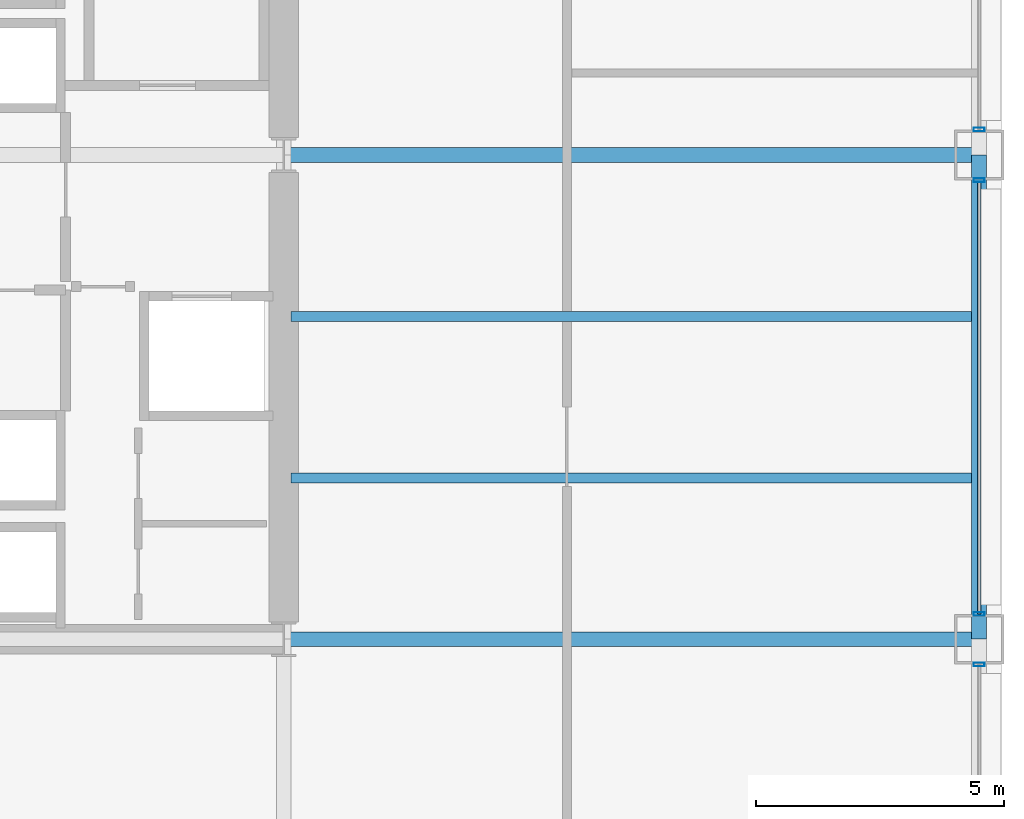
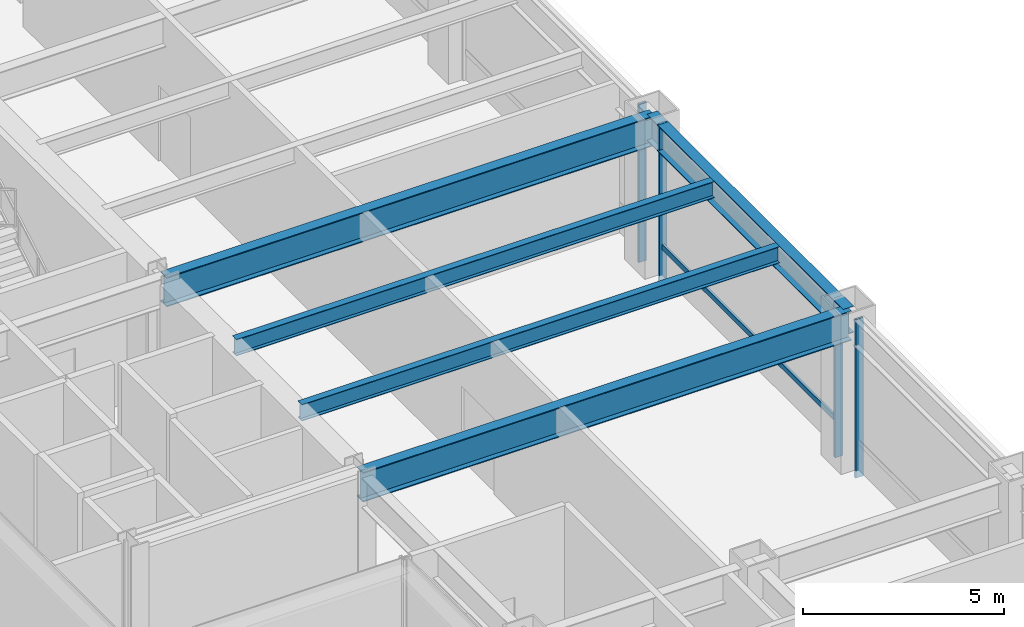
# One storey, part 13 of 40: 5 beams, 5 members, 3 elements without a shape of their own.
"""IFC4 building model written with IfcOpenShell, lengths in metres."""

from ifc_helpers import new_model, si_unit, direction, frame, origin, origin_2d, place, context, subcontext, project, spatial, hollow_rectangle, i_section, extrude, material, layer, layer_set, material_profile, profile_set, type_object, element, aggregate, save


model = new_model("IFC4")

# Units and contexts
model_context = context("Model", 3, precision=1e-05, world=origin(), true_north=direction((0.0, 1.0)))
body_context = subcontext(model_context, "Body", "Model", "MODEL_VIEW")
ifc_project = project(units=[si_unit("LENGTHUNIT", "METRE"), si_unit("AREAUNIT", "SQUARE_METRE"), si_unit("VOLUMEUNIT", "CUBIC_METRE"), si_unit("PLANEANGLEUNIT", "RADIAN"), si_unit("MASSUNIT", "GRAM", prefix="KILO")], contexts=[model_context])

# Site, building, storey
site_placement = place(None, origin())
site = spatial("IfcSite", under=ifc_project, at=site_placement, CompositionType="ELEMENT")
building_placement = place(site_placement, origin())
building = spatial("IfcBuilding", under=site, at=building_placement, Name="Brelmoor Portico Tower", CompositionType="ELEMENT")
storey_placement = place(building_placement, frame((0.0, 0.0, 4.800048828125)))
storey = spatial("IfcBuildingStorey", under=building, at=storey_placement, Name="L01", CompositionType="ELEMENT", Elevation=4.800048828125)

# Beams
ifc_material_1 = material(Name="Steel Q355B", Category="steel")
ifc_material_profile_1 = material_profile(ifc_material_1, i_section(OverallWidth=0.199951171875, OverallDepth=0.5, WebThickness=0.010009765625, FlangeThickness=0.01611328125, at=origin_2d()), Name="HN 500x200x10x16")
ifc_profile_set_1 = profile_set([ifc_material_profile_1], Name="Steel Q355B")
beam_type_1 = type_object("IfcBeamType", Name="BM-JS-500", PredefinedType="JOIST", material=ifc_profile_set_1)
for number, where, z_axis, x_axis, name in (
    (1, (14.699951171875, -6.5, 4.329833984375), (1.0, 0.0, 0.0), (0.0, 1.0, 0.0), "L01 Secondary Wing Joist JS-E05"),
    (2, (14.699951171875, -3.25, 4.329833984375), (1.0, 0.0, 0.0), (0.0, 1.0, 0.0), "L01 Secondary Wing Joist JS-E06"),
):
    element("IfcBeam", number, at=place(storey_placement, frame(where, z_axis=z_axis, x_axis=x_axis)), inside=storey, type_object=beam_type_1, Name=name, PredefinedType="JOIST", context=body_context, shape_type="SweptSolid", body=[
        extrude(i_section(OverallWidth=0.199951171875, OverallDepth=0.5, WebThickness=0.010009765625, FlangeThickness=0.01611328125, at=origin_2d()), origin(), (0.0, 0.0, 1.0), 13.699951171875),
    ])
ifc_material_profile_2 = material_profile(ifc_material_1, i_section(OverallWidth=0.300048828125, OverallDepth=0.89990234375, WebThickness=0.01611328125, FlangeThickness=0.028076171875, at=origin_2d()), Name="HN 900x300x16x28")
ifc_profile_set_2 = profile_set([ifc_material_profile_2], Name="Steel Q355B")
beam_type_2 = type_object("IfcBeamType", Name="BM-PG-900", PredefinedType="BEAM", material=ifc_profile_set_2)
for number, where, z_axis, x_axis, name in (
    (3, (14.550048828125, -9.75, 4.1298828125), (1.0, 0.0, 0.0), (0.0, 1.0, 0.0), "L01 Primary Floor Girder PG-28"),
    (4, (14.550048828125, 0.0, 4.1298828125), (1.0, 0.0, 0.0), (0.0, 1.0, 0.0), "L01 Primary Floor Girder PG-32"),
):
    element("IfcBeam", number, at=place(storey_placement, frame(where, z_axis=z_axis, x_axis=x_axis)), inside=storey, type_object=beam_type_2, Name=name, PredefinedType="BEAM", context=body_context, shape_type="SweptSolid", body=[
        extrude(i_section(OverallWidth=0.300048828125, OverallDepth=0.89990234375, WebThickness=0.01611328125, FlangeThickness=0.028076171875, at=origin_2d()), origin(), (0.0, 0.0, 1.0), 14.0),
    ])
ifc_material_profile_3 = material_profile(ifc_material_1, i_section(OverallWidth=0.300048828125, OverallDepth=0.800048828125, WebThickness=0.013916015625, FlangeThickness=0.02587890625, at=origin_2d()), Name="HN 800x300x14x26")
ifc_profile_set_3 = profile_set([ifc_material_profile_3], Name="Steel Q355B")
beam_type_3 = type_object("IfcBeamType", Name="BM-SP-800", PredefinedType="SPANDREL", material=ifc_profile_set_3)
beam_placement = place(storey_placement, frame((28.550048828125, -9.75, 4.179931640625), z_axis=(0.0, 1.0, 0.0), x_axis=(-1.0, 0.0, 0.0)))
element("IfcBeam", 5, at=beam_placement, inside=storey, type_object=beam_type_3, Name="L01 Perimeter Spandrel Beam SP-17", PredefinedType="SPANDREL", context=body_context, shape_type="SweptSolid", body=[
    extrude(i_section(OverallWidth=0.300048828125, OverallDepth=0.800048828125, WebThickness=0.013916015625, FlangeThickness=0.02587890625, at=origin_2d()), origin(), (0.0, 0.0, 1.0), 9.75),
])

# Curtain wall, member
ifc_material_2 = material(Name="Anodised Aluminium Alloy 6063-T6", Category="aluminium")
ifc_layer = layer(ifc_material_2, 0.179931640625)
ifc_layer_set = layer_set([ifc_layer], Name="Anodised Aluminium Alloy 6063-T6")
curtain_wall_type = type_object("IfcCurtainWallType", Name="CW-PODIUM-ARCH", PredefinedType="NOTDEFINED", material=ifc_layer_set)
curtain_wall_1_placement = place(storey_placement, origin())
curtain_wall_1 = element("IfcCurtainWall", 6, at=curtain_wall_1_placement, inside=storey, type_object=curtain_wall_type, Name="L01 Curtain Wall CW-L01-06-2", PredefinedType="NOTDEFINED")
ifc_material_profile_4 = material_profile(ifc_material_2, hollow_rectangle(XDim=0.074951171875, YDim=0.219970703125, WallThickness=0.0048828125, at=origin_2d()), Name="ALU MULLION 75x220")
ifc_profile_set_4 = profile_set([ifc_material_profile_4], Name="Anodised Aluminium Alloy 6063-T6")
member_type_1 = type_object("IfcMemberType", Name="MB-CW-MULL-220", PredefinedType="MULLION", material=ifc_profile_set_4)
member_1_placement = place(storey_placement, frame((28.550048828125, -10.260009765625, -0.219970703125), z_axis=(0.0, 0.0, 1.0), x_axis=(0.0, 1.0, 0.0)))
member_1 = element("IfcMember", 7, at=member_1_placement, type_object=member_type_1, Name="CW-L01-06-2 Mullion 01", PredefinedType="MULLION", context=body_context, shape_type="SweptSolid", body=[
    extrude(hollow_rectangle(XDim=0.074951171875, YDim=0.219970703125, WallThickness=0.0048828125, at=origin_2d()), origin(), (0.0, 0.0, 1.0), 4.7998046875),
])
aggregate(curtain_wall_1, [member_1])

# Curtain wall, members
curtain_wall_2_placement = place(storey_placement, origin())
curtain_wall_2 = element("IfcCurtainWall", 8, at=curtain_wall_2_placement, inside=storey, type_object=curtain_wall_type, Name="L01 Curtain Wall CW-L01-06-3", PredefinedType="NOTDEFINED")
member_2_placement = place(storey_placement, frame((28.550048828125, -9.239990234375, -0.219970703125), z_axis=(0.0, 0.0, 1.0), x_axis=(0.0, 1.0, 0.0)))
member_2 = element("IfcMember", 9, at=member_2_placement, type_object=member_type_1, Name="CW-L01-06-3 Mullion 00", PredefinedType="MULLION", context=body_context, shape_type="SweptSolid", body=[
    extrude(hollow_rectangle(XDim=0.074951171875, YDim=0.219970703125, WallThickness=0.0048828125, at=origin_2d()), origin(), (0.0, 0.0, 1.0), 4.7998046875),
])
member_3_placement = place(storey_placement, frame((28.550048828125, -0.510009765625, -0.219970703125), z_axis=(0.0, 0.0, 1.0), x_axis=(0.0, 1.0, 0.0)))
member_3 = element("IfcMember", 10, at=member_3_placement, type_object=member_type_1, Name="CW-L01-06-3 Mullion 01", PredefinedType="MULLION", context=body_context, shape_type="SweptSolid", body=[
    extrude(hollow_rectangle(XDim=0.074951171875, YDim=0.219970703125, WallThickness=0.0048828125, at=origin_2d()), origin(), (0.0, 0.0, 1.0), 4.7998046875),
])

# Curtain wall, member
curtain_wall_3_placement = place(storey_placement, origin())
curtain_wall_3 = element("IfcCurtainWall", 11, at=curtain_wall_3_placement, inside=storey, type_object=curtain_wall_type, Name="L01 Curtain Wall CW-L01-06-4", PredefinedType="NOTDEFINED")
member_4_placement = place(storey_placement, frame((28.550048828125, 0.510009765625, -0.219970703125), z_axis=(0.0, 0.0, 1.0), x_axis=(0.0, 1.0, 0.0)))
member_4 = element("IfcMember", 12, at=member_4_placement, type_object=member_type_1, Name="CW-L01-06-4 Mullion 00", PredefinedType="MULLION", context=body_context, shape_type="SweptSolid", body=[
    extrude(hollow_rectangle(XDim=0.074951171875, YDim=0.219970703125, WallThickness=0.0048828125, at=origin_2d()), origin(), (0.0, 0.0, 1.0), 4.7998046875),
])
aggregate(curtain_wall_3, [member_4])

# Member
ifc_material_profile_5 = material_profile(ifc_material_2, hollow_rectangle(XDim=0.070068359375, YDim=0.159912109375, WallThickness=0.00390625, at=origin_2d()), Name="ALU TRANSOM 70x160")
ifc_profile_set_5 = profile_set([ifc_material_profile_5], Name="Anodised Aluminium Alloy 6063-T6")
member_type_2 = type_object("IfcMemberType", Name="MB-CW-TRAN-160", PredefinedType="USERDEFINED", material=ifc_profile_set_5)
member_5_placement = place(storey_placement, frame((28.550048828125, -9.239990234375, 0.849853515625), z_axis=(0.0, 1.0, 0.0), x_axis=(-1.0, 0.0, 0.0)))
member_5 = element("IfcMember", 13, at=member_5_placement, type_object=member_type_2, Name="CW-L01-06-3 Transom 1-00", ObjectType="TRANSOM", PredefinedType="USERDEFINED", context=body_context, shape_type="SweptSolid", body=[
    extrude(hollow_rectangle(XDim=0.070068359375, YDim=0.159912109375, WallThickness=0.00390625, at=origin_2d()), origin(), (0.0, 0.0, 1.0), 8.72998046875),
])

aggregate(curtain_wall_2, [member_2, member_3, member_5])

save(model, "model.ifc")
